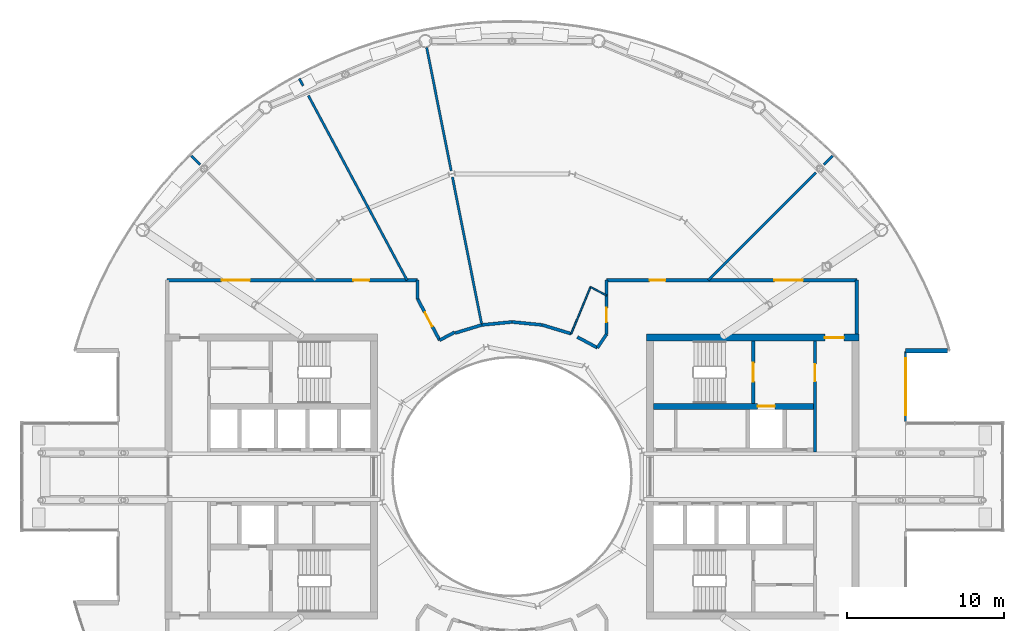
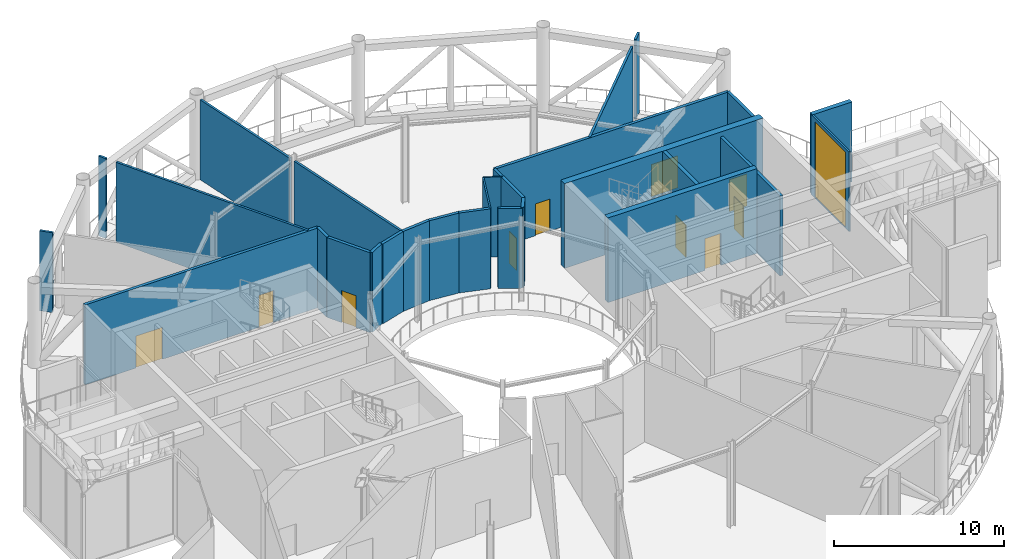
# One storey, part 15 of 24: 28 walls, 10 doors, 1 window, 11 openings.
"""IFC4 building model written with IfcOpenShell, lengths in metres."""

from ifc_helpers import new_model, si_unit, direction, frame, frame_2d, origin, place, context, subcontext, project, spatial, rectangle, extrude, material, layer, layer_set, type_object, element, fill, save


model = new_model("IFC4")

# Units and contexts
model_context = context("Model", 3, precision=1e-05, world=origin(), true_north=direction((0.0, 1.0)))
body_context = subcontext(model_context, "Body", "Model", "MODEL_VIEW")
ifc_project = project(units=[si_unit("LENGTHUNIT", "METRE"), si_unit("AREAUNIT", "SQUARE_METRE"), si_unit("VOLUMEUNIT", "CUBIC_METRE"), si_unit("PLANEANGLEUNIT", "RADIAN"), si_unit("MASSUNIT", "GRAM", prefix="KILO")], contexts=[model_context])

# Site, building, storey
site_placement = place(None, origin())
site = spatial("IfcSite", under=ifc_project, at=site_placement, CompositionType="ELEMENT")
building_placement = place(site_placement, origin())
building = spatial("IfcBuilding", under=site, at=building_placement, Name="Maasbend Ring Residences", CompositionType="ELEMENT")
storey_placement = place(building_placement, frame((0.0, 0.0, 221.85009765625)))
storey = spatial("IfcBuildingStorey", under=building, at=storey_placement, Name="L64", CompositionType="ELEMENT", Elevation=221.85009765625)

# Wall, opening, door
ifc_material_1 = material(Name="Concrete C50/60", Category="concrete")
ifc_layer_1 = layer(ifc_material_1, 0.25)
ifc_layer_set_1 = layer_set([ifc_layer_1], Name="Concrete C50/60")
wall_type_1 = type_object("IfcWallType", Name="CORE WALL 250 C50/60", PredefinedType="SHEAR", material=ifc_layer_set_1)
wall_1_placement = place(storey_placement, frame((15.324951171875, 4.64990234375, 0.0), z_axis=(0.0, 0.0, 1.0), x_axis=(0.0, 1.0, 0.0)))
wall_1 = element("IfcWall", 1, at=wall_1_placement, inside=storey, type_object=wall_type_1, Name="L64 core E wall STEN", PredefinedType="SHEAR", context=body_context, shape_type="SweptSolid", body=[
    extrude(rectangle(XDim=3.9501953125, YDim=0.25, at=frame_2d((1.97509765625, 0.0))), origin(), (0.0, 0.0, 1.0), 6.099853515625),
])
opening_1_placement = place(wall_1_placement, frame((1.375, 0.0, 0.0)))
opening_1 = element("IfcOpeningElement", 2, at=opening_1_placement, cuts=wall_1, Name="Opening D-E6411", PredefinedType="OPENING", context=body_context, shape_type="SweptSolid", body=[
    extrude(rectangle(XDim=1.199951171875, YDim=2.300048828125, at=frame_2d((0.60009765625, 1.14990234375))), frame((0.0, 0.135009765625, 0.0), z_axis=(0.0, -1.0, 0.0), x_axis=(1.0, 0.0, 0.0)), (0.0, 0.0, 1.0), 0.27001953125),
])
ifc_material_2 = material(Name="Steel, powder coated", Category="steel")
door_type_1 = type_object("IfcDoorType", Name="STAIR DOOR 1200 X 2300 FD60", OperationType="NOTDEFINED", PredefinedType="DOOR", material=ifc_material_2)
door_1_placement = place(opening_1_placement, origin())
door_1 = element("IfcDoor", 3, at=door_1_placement, inside=storey, type_object=door_type_1, Name="Stair door ST-E L64", OperationType="SINGLE_SWING_LEFT", OverallHeight=2.300048828125, OverallWidth=1.199951171875, PredefinedType="DOOR", context=body_context, shape_type="SweptSolid", body=[
    extrude(rectangle(XDim=1.199951171875, YDim=2.300048828125, at=frame_2d((0.60009765625, 1.14990234375))), frame((0.0, 0.02490234375, 0.0), z_axis=(0.0, -1.0, 0.0), x_axis=(1.0, 0.0, 0.0)), (0.0, 0.0, 1.0), 0.050048828125),
])
fill(opening_1, door_1)

ifc_material_3 = material(Name="Concrete C50/60", Category="concrete")
ifc_layer_2 = layer(ifc_material_3, 0.375)
ifc_layer_set_2 = layer_set([ifc_layer_2], Name="Concrete C50/60")
wall_type_2 = type_object("IfcWallType", Name="CORE WALL 375 C50/60", PredefinedType="SHEAR", material=ifc_layer_set_2)
wall_2_placement = place(storey_placement, frame((9.0, 4.46240234375, 0.0), z_axis=(0.0, 0.0, 1.0), x_axis=(1.0, 0.0, 0.0)))
wall_2 = element("IfcWall", 4, at=wall_2_placement, inside=storey, type_object=wall_type_2, Name="L64 core E wall BN", PredefinedType="SHEAR", context=body_context, shape_type="SweptSolid", body=[
    extrude(rectangle(XDim=10.14990234375, YDim=0.375, at=frame_2d((5.074951171875, 0.0))), origin(), (0.0, 0.0, 1.0), 6.099853515625),
])
opening_2_placement = place(wall_2_placement, frame((6.60009765625, 0.0, 0.0)))
opening_2 = element("IfcOpeningElement", 5, at=opening_2_placement, cuts=wall_2, Name="Opening LD-E6401", PredefinedType="OPENING", context=body_context, shape_type="SweptSolid", body=[
    extrude(rectangle(XDim=1.10009765625, YDim=2.300048828125, at=frame_2d((0.550048828125, 1.14990234375))), frame((0.0, 0.197509765625, 0.0), z_axis=(0.0, -1.0, 0.0), x_axis=(1.0, 0.0, 0.0)), (0.0, 0.0, 1.0), 0.39501953125),
])
ifc_material_4 = material(Name="Stainless steel 316", Category="steel")
door_type_2 = type_object("IfcDoorType", Name="LANDING DOOR 1100 X 2300 FD60", OperationType="DOUBLE_DOOR_SLIDING", PredefinedType="DOOR", material=ifc_material_4)
door_2_placement = place(opening_2_placement, origin())
door_2 = element("IfcDoor", 6, at=door_2_placement, inside=storey, type_object=door_type_2, Name="Landing door FF-E L64", OperationType="DOUBLE_DOOR_SLIDING", OverallHeight=2.300048828125, OverallWidth=1.10009765625, PredefinedType="DOOR", context=body_context, shape_type="SweptSolid", body=[
    extrude(rectangle(XDim=1.10009765625, YDim=2.300048828125, at=frame_2d((0.550048828125, 1.14990234375))), frame((0.0, 0.02490234375, 0.0), z_axis=(0.0, -1.0, 0.0), x_axis=(1.0, 0.0, 0.0)), (0.0, 0.0, 1.0), 0.050048828125),
])
fill(opening_2, door_2)

ifc_material_5 = material(Name="Concrete C50/60", Category="concrete")
ifc_layer_3 = layer(ifc_material_5, 0.449951171875)
ifc_layer_set_3 = layer_set([ifc_layer_3], Name="Concrete C50/60")
wall_type_3 = type_object("IfcWallType", Name="CORE WALL 450 C50/60", PredefinedType="SHEAR", material=ifc_layer_set_3)
wall_3_placement = place(storey_placement, frame((22.050048828125, 8.824951171875, 0.0), z_axis=(0.0, 0.0, 1.0), x_axis=(-1.0, 0.0, 0.0)))
wall_3 = element("IfcWall", 7, at=wall_3_placement, inside=storey, type_object=wall_type_3, Name="L64 core E wall PN", PredefinedType="SHEAR", context=body_context, shape_type="SweptSolid", body=[
    extrude(rectangle(XDim=13.5, YDim=0.449951171875, at=frame_2d((6.75, 0.0))), origin(), (0.0, 0.0, 1.0), 6.099853515625),
])
opening_3_placement = place(wall_3_placement, frame((0.97509765625, 0.0, 0.0)))
opening_3 = element("IfcOpeningElement", 8, at=opening_3_placement, cuts=wall_3, Name="Opening D-E6415", PredefinedType="OPENING", context=body_context, shape_type="SweptSolid", body=[
    extrude(rectangle(XDim=1.199951171875, YDim=2.300048828125, at=frame_2d((0.60009765625, 1.14990234375))), frame((0.0, 0.23486328125, 0.0), z_axis=(0.0, -1.0, 0.0), x_axis=(1.0, 0.0, 0.0)), (0.0, 0.0, 1.0), 0.469970703125),
])
ifc_material_6 = material(Name="Steel, powder coated", Category="steel")
door_type_3 = type_object("IfcDoorType", Name="CORRIDOR DOOR 1200 X 2300 FD30S", OperationType="NOTDEFINED", PredefinedType="DOOR", material=ifc_material_6)
door_3_placement = place(opening_3_placement, origin())
door_3 = element("IfcDoor", 9, at=door_3_placement, inside=storey, type_object=door_type_3, Name="Corridor door L64", OperationType="SINGLE_SWING_RIGHT", OverallHeight=2.300048828125, OverallWidth=1.199951171875, PredefinedType="DOOR", context=body_context, shape_type="SweptSolid", body=[
    extrude(rectangle(XDim=1.199951171875, YDim=2.300048828125, at=frame_2d((0.60009765625, 1.14990234375))), frame((0.0, 0.02490234375, 0.0), z_axis=(0.0, -1.0, 0.0), x_axis=(1.0, 0.0, 0.0)), (0.0, 0.0, 1.0), 0.050048828125),
])
fill(opening_3, door_3)

# Wall
ifc_material_7 = material(Name="Concrete C30/37", Category="concrete")
ifc_layer_4 = layer(ifc_material_7, 0.199951171875)
ifc_layer_set_4 = layer_set([ifc_layer_4], Name="Concrete C30/37")
wall_type_4 = type_object("IfcWallType", Name="CORRIDOR WALL 200 CONCRETE", PredefinedType="PARTITIONING", material=ifc_layer_set_4)
wall_4_placement = place(storey_placement, frame((21.89990234375, 9.070068359375, 0.0), z_axis=(0.0, 0.0, 1.0), x_axis=(0.0, 1.0, 0.0)))
element("IfcWall", 10, at=wall_4_placement, inside=storey, type_object=wall_type_4, Name="U-L64-w002", PredefinedType="PARTITIONING", context=body_context, shape_type="SweptSolid", body=[
    extrude(rectangle(XDim=3.39990234375, YDim=0.199951171875, at=frame_2d((1.699951171875, 0.0))), origin(), (0.0, 0.0, 1.0), 5.75),
])

# Wall, opening, door
wall_5_placement = place(storey_placement, frame((6.0, 9.033935546875, 0.0), z_axis=(0.0, 0.0, 1.0), x_axis=(0.0, 1.0, 0.0)))
wall_5 = element("IfcWall", 11, at=wall_5_placement, inside=storey, type_object=wall_type_4, Name="U-L64-w013", PredefinedType="PARTITIONING", context=body_context, shape_type="SweptSolid", body=[
    extrude(rectangle(XDim=3.43603515625, YDim=0.199951171875, at=frame_2d((1.718017578125, 0.0))), origin(), (0.0, 0.0, 1.0), 5.75),
])
opening_4_placement = place(wall_5_placement, frame((0.783935546875, 0.0, 0.0)))
opening_4 = element("IfcOpeningElement", 12, at=opening_4_placement, cuts=wall_5, Name="Opening D-6401", PredefinedType="OPENING", context=body_context, shape_type="SweptSolid", body=[
    extrude(rectangle(XDim=0.89990234375, YDim=2.300048828125, at=frame_2d((0.449951171875, 1.14990234375))), frame((0.0, 0.10986328125, 0.0), z_axis=(0.0, -1.0, 0.0), x_axis=(1.0, 0.0, 0.0)), (0.0, 0.0, 1.0), 0.219970703125),
])
ifc_material_8 = material(Name="Timber, painted", Category="wood")
door_type_4 = type_object("IfcDoorType", Name="INTERNAL DOOR 900 X 2300", OperationType="NOTDEFINED", PredefinedType="DOOR", material=ifc_material_8)
door_4_placement = place(opening_4_placement, origin())
door_4 = element("IfcDoor", 13, at=door_4_placement, inside=storey, type_object=door_type_4, Name="D-6401", OperationType="SINGLE_SWING_LEFT", OverallHeight=2.300048828125, OverallWidth=0.89990234375, PredefinedType="DOOR", context=body_context, shape_type="SweptSolid", body=[
    extrude(rectangle(XDim=0.89990234375, YDim=2.300048828125, at=frame_2d((0.449951171875, 1.14990234375))), frame((0.0, 0.02490234375, 0.0), z_axis=(0.0, -1.0, 0.0), x_axis=(1.0, 0.0, 0.0)), (0.0, 0.0, 1.0), 0.050048828125),
])
fill(opening_4, door_4)

wall_6_placement = place(storey_placement, frame((-6.0, 11.2890625, 0.0), z_axis=(0.0, 0.0, 1.0), x_axis=(0.471323454276, -0.881960430773, 0.0)))
wall_6 = element("IfcWall", 14, at=wall_6_placement, inside=storey, type_object=wall_type_4, Name="U-L64-w039", PredefinedType="PARTITIONING", context=body_context, shape_type="SweptSolid", body=[
    extrude(rectangle(XDim=2.98095703125, YDim=0.199951171875, at=frame_2d((1.490478515625, 0.0))), origin(), (0.0, 0.0, 1.0), 5.75),
])
opening_5_placement = place(wall_6_placement, frame((0.989990234375, 0.0, 0.0)))
opening_5 = element("IfcOpeningElement", 15, at=opening_5_placement, cuts=wall_6, Name="Opening D-6403", PredefinedType="OPENING", context=body_context, shape_type="SweptSolid", body=[
    extrude(rectangle(XDim=1.0, YDim=2.300048828125, at=frame_2d((0.5, 1.14990234375))), frame((0.0, 0.10986328125, 0.0), z_axis=(0.0, -1.0, 0.0), x_axis=(1.0, 0.0, 0.0)), (0.0, 0.0, 1.0), 0.219970703125),
])
ifc_material_9 = material(Name="Timber, painted", Category="wood")
door_type_5 = type_object("IfcDoorType", Name="ROOM DOOR 1000 X 2300", OperationType="NOTDEFINED", PredefinedType="DOOR", material=ifc_material_9)
door_5_placement = place(opening_5_placement, origin())
door_5 = element("IfcDoor", 16, at=door_5_placement, inside=storey, type_object=door_type_5, Name="D-6403", OperationType="SINGLE_SWING_RIGHT", OverallHeight=2.300048828125, OverallWidth=1.0, PredefinedType="DOOR", context=body_context, shape_type="SweptSolid", body=[
    extrude(rectangle(XDim=1.0, YDim=2.300048828125, at=frame_2d((0.5, 1.14990234375))), frame((0.0, 0.02490234375, 0.0), z_axis=(0.0, -1.0, 0.0), x_axis=(1.0, 0.0, 0.0)), (0.0, 0.0, 1.0), 0.050048828125),
])
fill(opening_5, door_5)

# Walls
wall_7_placement = place(storey_placement, frame((5.428955078125, 8.178955078125, 0.0), z_axis=(0.0, 0.0, 1.0), x_axis=(0.555412364489, 0.831575075007, 0.0)))
element("IfcWall", 17, at=wall_7_placement, inside=storey, type_object=wall_type_4, Name="U-L64-w040", PredefinedType="PARTITIONING", context=body_context, shape_type="SweptSolid", body=[
    extrude(rectangle(XDim=1.028076171875, YDim=0.199951171875, at=frame_2d((0.51416015625, 0.0))), origin(), (0.0, 0.0, 1.0), 5.75),
])
wall_8_placement = place(storey_placement, frame((-6.0, 11.2890625, 0.0), z_axis=(0.0, 0.0, 1.0), x_axis=(0.0, 1.0, 0.0)))
element("IfcWall", 18, at=wall_8_placement, inside=storey, type_object=wall_type_4, Name="U-L64-w042", PredefinedType="PARTITIONING", context=body_context, shape_type="SweptSolid", body=[
    extrude(rectangle(XDim=1.180908203125, YDim=0.199951171875, at=frame_2d((0.59033203125, 0.0))), origin(), (0.0, 0.0, 1.0), 5.75),
])
wall_9_placement = place(storey_placement, frame((-3.612060546875, 9.115966796875, 0.0), z_axis=(0.0, 0.0, 1.0), x_axis=(0.956838864513, 0.290618972812, 0.0)))
element("IfcWall", 19, at=wall_9_placement, inside=storey, type_object=wall_type_4, Name="U-L64-w043", PredefinedType="PARTITIONING", context=body_context, shape_type="SweptSolid", body=[
    extrude(rectangle(XDim=1.7724609375, YDim=0.199951171875, at=frame_2d((0.88623046875, 0.0))), origin(), (0.0, 0.0, 1.0), 5.75),
])
for number, where, z_axis, x_axis, name in (
    (20, (-1.916015625, 9.631103515625, 0.0), (0.0, 0.0, 1.0), (0.995171860647, 0.098147683504, 0.0), "U-L64-w044"),
    (21, (0.0, 9.820068359375, 0.0), (0.0, 0.0, 1.0), (0.995171860647, -0.098147683504, 0.0), "U-L64-w045"),
):
    element("IfcWall", number, at=place(storey_placement, frame(where, z_axis=z_axis, x_axis=x_axis)), inside=storey, type_object=wall_type_4, Name=name, PredefinedType="PARTITIONING", context=body_context, shape_type="SweptSolid", body=[
        extrude(rectangle(XDim=1.92529296875, YDim=0.199951171875, at=frame_2d((0.962646484375, 0.0))), origin(), (0.0, 0.0, 1.0), 5.75),
    ])
wall_10_placement = place(storey_placement, frame((1.916015625, 9.631103515625, 0.0), z_axis=(0.0, 0.0, 1.0), x_axis=(0.956896312675, -0.29042976223, 0.0)))
element("IfcWall", 22, at=wall_10_placement, inside=storey, type_object=wall_type_4, Name="U-L64-w046", PredefinedType="PARTITIONING", context=body_context, shape_type="SweptSolid", body=[
    extrude(rectangle(XDim=1.925048828125, YDim=0.199951171875, at=frame_2d((0.96240234375, 0.0))), origin(), (0.0, 0.0, 1.0), 5.75),
])
wall_11_placement = place(storey_placement, frame((4.15087890625, 8.863037109375, 0.0), z_axis=(0.0, 0.0, 1.0), x_axis=(0.881652665802, -0.471898905364, 0.0)))
element("IfcWall", 23, at=wall_11_placement, inside=storey, type_object=wall_type_4, Name="U-L64-w047", PredefinedType="PARTITIONING", context=body_context, shape_type="SweptSolid", body=[
    extrude(rectangle(XDim=1.44970703125, YDim=0.199951171875, at=frame_2d((0.724853515625, 0.0))), origin(), (0.0, 0.0, 1.0), 5.75),
])
wall_12_placement = place(storey_placement, frame((-4.594970703125, 8.659912109375, 0.0), z_axis=(0.0, 0.0, 1.0), x_axis=(0.882484042169, 0.470342338426, 0.0)))
element("IfcWall", 24, at=wall_12_placement, inside=storey, type_object=wall_type_4, Name="U-L64-w048", PredefinedType="PARTITIONING", context=body_context, shape_type="SweptSolid", body=[
    extrude(rectangle(XDim=1.082275390625, YDim=0.199951171875, at=frame_2d((0.541015625, 0.0))), origin(), (0.0, 0.0, 1.0), 5.75),
])

# Wall, openings, doors
wall_13_placement = place(storey_placement, frame((-21.89990234375, 12.469970703125, 0.0), z_axis=(0.0, 0.0, 1.0), x_axis=(1.0, 0.0, 0.0)))
wall_13 = element("IfcWall", 25, at=wall_13_placement, inside=storey, type_object=wall_type_4, Name="U-L64-w049", PredefinedType="PARTITIONING", context=body_context, shape_type="SweptSolid", body=[
    extrude(rectangle(XDim=15.89990234375, YDim=0.199951171875, at=frame_2d((7.949951171875, 0.0))), origin(), (0.0, 0.0, 1.0), 5.75),
])
opening_6_placement = place(wall_13_placement, frame((11.83203125, 0.0, 0.0)))
opening_6 = element("IfcOpeningElement", 26, at=opening_6_placement, cuts=wall_13, Name="Opening D-6404", PredefinedType="OPENING", context=body_context, shape_type="SweptSolid", body=[
    extrude(rectangle(XDim=1.0, YDim=2.300048828125, at=frame_2d((0.5, 1.14990234375))), frame((0.0, 0.10986328125, 0.0), z_axis=(0.0, -1.0, 0.0), x_axis=(1.0, 0.0, 0.0)), (0.0, 0.0, 1.0), 0.219970703125),
])
opening_7_placement = place(wall_13_placement, frame((3.449951171875, 0.0, 0.0)))
opening_7 = element("IfcOpeningElement", 27, at=opening_7_placement, cuts=wall_13, Name="Opening D-6411", PredefinedType="OPENING", context=body_context, shape_type="SweptSolid", body=[
    extrude(rectangle(XDim=1.800048828125, YDim=2.300048828125, at=frame_2d((0.89990234375, 1.14990234375))), frame((0.0, 0.10986328125, 0.0), z_axis=(0.0, -1.0, 0.0), x_axis=(1.0, 0.0, 0.0)), (0.0, 0.0, 1.0), 0.219970703125),
])
ifc_material_10 = material(Name="Timber, painted", Category="wood")
door_type_6 = type_object("IfcDoorType", Name="DOUBLE DOOR 1800 X 2300", OperationType="NOTDEFINED", PredefinedType="DOOR", material=ifc_material_10)
door_6_placement = place(opening_7_placement, origin())
door_6 = element("IfcDoor", 28, at=door_6_placement, inside=storey, type_object=door_type_6, Name="D-6411", OperationType="DOUBLE_DOOR_SINGLE_SWING", OverallHeight=2.300048828125, OverallWidth=1.800048828125, PredefinedType="DOOR", context=body_context, shape_type="SweptSolid", body=[
    extrude(rectangle(XDim=1.800048828125, YDim=2.300048828125, at=frame_2d((0.89990234375, 1.14990234375))), frame((0.0, 0.02490234375, 0.0), z_axis=(0.0, -1.0, 0.0), x_axis=(1.0, 0.0, 0.0)), (0.0, 0.0, 1.0), 0.050048828125),
])
fill(opening_7, door_6)
door_7_placement = place(opening_6_placement, origin())
door_7 = element("IfcDoor", 29, at=door_7_placement, inside=storey, type_object=door_type_5, Name="D-6404", OperationType="SINGLE_SWING_RIGHT", OverallHeight=2.300048828125, OverallWidth=1.0, PredefinedType="DOOR", context=body_context, shape_type="SweptSolid", body=[
    extrude(rectangle(XDim=1.0, YDim=2.300048828125, at=frame_2d((0.5, 1.14990234375))), frame((0.0, 0.02490234375, 0.0), z_axis=(0.0, -1.0, 0.0), x_axis=(1.0, 0.0, 0.0)), (0.0, 0.0, 1.0), 0.050048828125),
])
fill(opening_6, door_7)

wall_14_placement = place(storey_placement, frame((6.0, 12.469970703125, 0.0), z_axis=(0.0, 0.0, 1.0), x_axis=(1.0, 0.0, 0.0)))
wall_14 = element("IfcWall", 30, at=wall_14_placement, inside=storey, type_object=wall_type_4, Name="U-L64-w050", PredefinedType="PARTITIONING", context=body_context, shape_type="SweptSolid", body=[
    extrude(rectangle(XDim=15.89990234375, YDim=0.199951171875, at=frame_2d((7.949951171875, 0.0))), origin(), (0.0, 0.0, 1.0), 5.75),
])
opening_8_placement = place(wall_14_placement, frame((2.735107421875, 0.0, 0.0)))
opening_8 = element("IfcOpeningElement", 31, at=opening_8_placement, cuts=wall_14, Name="Opening D-6402", PredefinedType="OPENING", context=body_context, shape_type="SweptSolid", body=[
    extrude(rectangle(XDim=1.0, YDim=2.300048828125, at=frame_2d((0.5, 1.14990234375))), frame((0.0, 0.10986328125, 0.0), z_axis=(0.0, -1.0, 0.0), x_axis=(1.0, 0.0, 0.0)), (0.0, 0.0, 1.0), 0.219970703125),
])
opening_9_placement = place(wall_14_placement, frame((10.669921875, 0.0, 0.0)))
opening_9 = element("IfcOpeningElement", 32, at=opening_9_placement, cuts=wall_14, Name="Opening D-6410", PredefinedType="OPENING", context=body_context, shape_type="SweptSolid", body=[
    extrude(rectangle(XDim=1.800048828125, YDim=2.300048828125, at=frame_2d((0.89990234375, 1.14990234375))), frame((0.0, 0.10986328125, 0.0), z_axis=(0.0, -1.0, 0.0), x_axis=(1.0, 0.0, 0.0)), (0.0, 0.0, 1.0), 0.219970703125),
])
door_8_placement = place(opening_9_placement, origin())
door_8 = element("IfcDoor", 33, at=door_8_placement, inside=storey, type_object=door_type_6, Name="D-6410", OperationType="DOUBLE_DOOR_SINGLE_SWING", OverallHeight=2.300048828125, OverallWidth=1.800048828125, PredefinedType="DOOR", context=body_context, shape_type="SweptSolid", body=[
    extrude(rectangle(XDim=1.800048828125, YDim=2.300048828125, at=frame_2d((0.89990234375, 1.14990234375))), frame((0.0, 0.02490234375, 0.0), z_axis=(0.0, -1.0, 0.0), x_axis=(1.0, 0.0, 0.0)), (0.0, 0.0, 1.0), 0.050048828125),
])
fill(opening_9, door_8)
door_9_placement = place(opening_8_placement, origin())
door_9 = element("IfcDoor", 34, at=door_9_placement, inside=storey, type_object=door_type_5, Name="D-6402", OperationType="SINGLE_SWING_LEFT", OverallHeight=2.300048828125, OverallWidth=1.0, PredefinedType="DOOR", context=body_context, shape_type="SweptSolid", body=[
    extrude(rectangle(XDim=1.0, YDim=2.300048828125, at=frame_2d((0.5, 1.14990234375))), frame((0.0, 0.02490234375, 0.0), z_axis=(0.0, -1.0, 0.0), x_axis=(1.0, 0.0, 0.0)), (0.0, 0.0, 1.0), 0.050048828125),
])
fill(opening_8, door_9)

# Wall
ifc_material_11 = material(Name="Aluminium clad insulated panel", Category="aluminium")
ifc_layer_5 = layer(ifc_material_11, 0.300048828125)
ifc_layer_set_5 = layer_set([ifc_layer_5], Name="EW-RET")
wall_type_5 = type_object("IfcWallType", Name="EW-RET", PredefinedType="SOLIDWALL", material=ifc_layer_set_5)
wall_15_placement = place(storey_placement, frame((25.0, 8.0, 0.0), z_axis=(0.0, 0.0, 1.0), x_axis=(1.0, 0.0, 0.0)))
element("IfcWall", 35, at=wall_15_placement, inside=storey, type_object=wall_type_5, Name="Notch return wall east north", PredefinedType="SOLIDWALL", context=body_context, shape_type="SweptSolid", body=[
    extrude(rectangle(XDim=2.6669921875, YDim=0.300048828125, at=frame_2d((1.33349609375, 0.0))), origin(), (0.0, 0.0, 1.0), 5.75),
])

# Wall, opening, window
ifc_material_12 = material(Name="Aluminium frame and clear glass", Category="aluminium")
ifc_layer_6 = layer(ifc_material_12, 0.1201171875)
ifc_layer_set_6 = layer_set([ifc_layer_6], Name="GLAZED SCREEN WALL 120 EI 60")
wall_type_6 = type_object("IfcWallType", Name="GLAZED SCREEN WALL 120 EI 60", PredefinedType="PARTITIONING", material=ifc_layer_set_6)
wall_16_placement = place(storey_placement, frame((25.0, 3.5, 0.0), z_axis=(0.0, 0.0, 1.0), x_axis=(0.0, 1.0, 0.0)))
wall_16 = element("IfcWall", 36, at=wall_16_placement, inside=storey, type_object=wall_type_6, Name="L64 core E wall FACEB", PredefinedType="PARTITIONING", context=body_context, shape_type="SweptSolid", body=[
    extrude(rectangle(XDim=4.449951171875, YDim=0.1201171875, at=frame_2d((2.22509765625, 0.0))), origin(), (0.0, 0.0, 1.0), 5.75),
])
opening_10_placement = place(wall_16_placement, frame((0.39990234375, 0.0, 0.10009765625)))
opening_10 = element("IfcOpeningElement", 37, at=opening_10_placement, cuts=wall_16, Name="Opening W-E6403", PredefinedType="OPENING", context=body_context, shape_type="SweptSolid", body=[
    extrude(rectangle(XDim=3.60009765625, YDim=5.39990234375, at=frame_2d((1.800048828125, 2.699951171875))), frame((0.0, 0.070068359375, 0.0), z_axis=(0.0, -1.0, 0.0), x_axis=(1.0, 0.0, 0.0)), (0.0, 0.0, 1.0), 0.14013671875),
])
ifc_material_13 = material(Name="Aluminium frame and clear glass", Category="aluminium")
window_type = type_object("IfcWindowType", Name="FIXED WINDOW 3600 X 5400", PartitioningType="SINGLE_PANEL", PredefinedType="WINDOW", material=ifc_material_13)
window_placement = place(opening_10_placement, origin())
window = element("IfcWindow", 38, at=window_placement, inside=storey, type_object=window_type, Name="Lobby window L64", OverallHeight=5.39990234375, OverallWidth=3.60009765625, PartitioningType="SINGLE_PANEL", PredefinedType="WINDOW", context=body_context, shape_type="SweptSolid", body=[
    extrude(rectangle(XDim=3.60009765625, YDim=5.39990234375, at=frame_2d((1.800048828125, 2.699951171875))), frame((0.0, 0.030029296875, 0.0), z_axis=(0.0, -1.0, 0.0), x_axis=(1.0, 0.0, 0.0)), (0.0, 0.0, 1.0), 0.06005859375),
])
fill(opening_10, window)

# Walls
ifc_material_14 = material(Name="Gypsum board on steel studs", Category="steel")
ifc_layer_7 = layer(ifc_material_14, 0.10009765625)
ifc_layer_set_7 = layer_set([ifc_layer_7], Name="PARTITION 100 GYPSUM")
wall_type_7 = type_object("IfcWallType", Name="PARTITION 100 GYPSUM", PredefinedType="PARTITIONING", material=ifc_layer_set_7)
wall_17_placement = place(storey_placement, frame((3.757080078125, 9.072998046875, 0.0), z_axis=(0.0, 0.0, 1.0), x_axis=(0.382624570991, 0.923903911494, 0.0)))
element("IfcWall", 39, at=wall_17_placement, inside=storey, type_object=wall_type_7, Name="U-L64-w030", PredefinedType="PARTITIONING", context=body_context, shape_type="SweptSolid", body=[
    extrude(rectangle(XDim=3.214599609375, YDim=0.10009765625, at=frame_2d((1.607421875, 0.0))), origin(), (0.0, 0.0, 1.0), 5.75),
])
wall_18_placement = place(storey_placement, frame((4.988037109375, 12.04296875, 0.0), z_axis=(0.0, 0.0, 1.0), x_axis=(0.882235076446, -0.470809165042, 0.0)))
element("IfcWall", 40, at=wall_18_placement, inside=storey, type_object=wall_type_7, Name="U-L64-w051", PredefinedType="PARTITIONING", context=body_context, shape_type="SweptSolid", body=[
    extrude(rectangle(XDim=1.14697265625, YDim=0.10009765625, at=frame_2d((0.573486328125, 0.0))), origin(), (0.0, 0.0, 1.0), 5.75),
])
ifc_material_15 = material(Name="Gypsum board on steel studs", Category="steel")
ifc_layer_8 = layer(ifc_material_15, 0.14990234375)
ifc_layer_set_8 = layer_set([ifc_layer_8], Name="PARTITION 150 GYPSUM")
wall_type_8 = type_object("IfcWallType", Name="PARTITION 150 GYPSUM", PredefinedType="PARTITIONING", material=ifc_layer_set_8)
wall_19_placement = place(storey_placement, frame((-13.510986328125, 25.277099609375, 0.0), z_axis=(0.0, 0.0, 1.0), x_axis=(0.470808368579, -0.882235501482, 0.0)))
element("IfcWall", 41, at=wall_19_placement, inside=storey, type_object=wall_type_8, Name="U-L64-w016", PredefinedType="PARTITIONING", context=body_context, shape_type="SweptSolid", body=[
    extrude(rectangle(XDim=0.51806640625, YDim=0.14990234375, at=frame_2d((0.259033203125, 0.0))), origin(), (0.0, 0.0, 1.0), 5.75),
])
wall_20_placement = place(storey_placement, frame((-20.364990234375, 20.364990234375, 0.0), z_axis=(0.0, 0.0, 1.0), x_axis=(0.707106781187, -0.707106781187, 0.0)))
element("IfcWall", 42, at=wall_20_placement, inside=storey, type_object=wall_type_8, Name="U-L64-w018", PredefinedType="PARTITIONING", context=body_context, shape_type="SweptSolid", body=[
    extrude(rectangle(XDim=0.7919921875, YDim=0.14990234375, at=frame_2d((0.39599609375, 0.0))), origin(), (0.0, 0.0, 1.0), 5.75),
])
wall_21_placement = place(storey_placement, frame((-12.93505859375, 24.199951171875, 0.0), z_axis=(0.0, 0.0, 1.0), x_axis=(0.471409271211, -0.881914564465, 0.0)))
element("IfcWall", 43, at=wall_21_placement, inside=storey, type_object=wall_type_8, Name="U-L64-w021", PredefinedType="PARTITIONING", context=body_context, shape_type="SweptSolid", body=[
    extrude(rectangle(XDim=13.300537109375, YDim=0.14990234375, at=frame_2d((6.650390625, 0.0))), origin(), (0.0, 0.0, 1.0), 5.75),
])
wall_22_placement = place(storey_placement, frame((-5.424072265625, 27.26708984375, 0.0), z_axis=(0.0, 0.0, 1.0), x_axis=(0.195106720959, -0.980782018308, 0.0)))
element("IfcWall", 44, at=wall_22_placement, inside=storey, type_object=wall_type_8, Name="U-L64-w025", PredefinedType="PARTITIONING", context=body_context, shape_type="SweptSolid", body=[
    extrude(rectangle(XDim=8.0009765625, YDim=0.14990234375, at=frame_2d((4.00048828125, 0.0))), origin(), (0.0, 0.0, 1.0), 5.75),
])
wall_23_placement = place(storey_placement, frame((-3.784912109375, 19.027099609375, 0.0), z_axis=(0.0, 0.0, 1.0), x_axis=(0.195081953533, -0.980786944961, 0.0)))
element("IfcWall", 45, at=wall_23_placement, inside=storey, type_object=wall_type_8, Name="U-L64-w027", PredefinedType="PARTITIONING", context=body_context, shape_type="SweptSolid", body=[
    extrude(rectangle(XDim=9.580078125, YDim=0.14990234375, at=frame_2d((4.7900390625, 0.0))), origin(), (0.0, 0.0, 1.0), 5.75),
])
wall_24_placement = place(storey_placement, frame((12.469970703125, 12.469970703125, 0.0), z_axis=(0.0, 0.0, 1.0), x_axis=(0.707106781187, 0.707106781187, 0.0)))
element("IfcWall", 46, at=wall_24_placement, inside=storey, type_object=wall_type_8, Name="U-L64-w036", PredefinedType="PARTITIONING", context=body_context, shape_type="SweptSolid", body=[
    extrude(rectangle(XDim=9.67333984375, YDim=0.14990234375, at=frame_2d((4.836669921875, 0.0))), origin(), (0.0, 0.0, 1.0), 5.75),
])
wall_25_placement = place(storey_placement, frame((19.804931640625, 19.804931640625, 0.0), z_axis=(0.0, 0.0, 1.0), x_axis=(0.707106781187, 0.707106781187, 0.0)))
element("IfcWall", 47, at=wall_25_placement, inside=storey, type_object=wall_type_8, Name="U-L64-w038", PredefinedType="PARTITIONING", context=body_context, shape_type="SweptSolid", body=[
    extrude(rectangle(XDim=0.7919921875, YDim=0.14990234375, at=frame_2d((0.39599609375, 0.0))), origin(), (0.0, 0.0, 1.0), 5.75),
])

# Wall, opening, door
ifc_material_16 = material(Name="Concrete C30/37", Category="concrete")
ifc_layer_9 = layer(ifc_material_16, 0.199951171875)
ifc_layer_set_9 = layer_set([ifc_layer_9], Name="Concrete C30/37")
wall_type_9 = type_object("IfcWallType", Name="SHAFT WALL 200 EI 120", PredefinedType="SOLIDWALL", material=ifc_layer_set_9)
wall_26_placement = place(storey_placement, frame((19.25, 1.574951171875, 0.0), z_axis=(0.0, 0.0, 1.0), x_axis=(0.0, 1.0, 0.0)))
wall_26 = element("IfcWall", 48, at=wall_26_placement, inside=storey, type_object=wall_type_9, Name="L64 core E wall ENDN", PredefinedType="SOLIDWALL", context=body_context, shape_type="SweptSolid", body=[
    extrude(rectangle(XDim=7.025146484375, YDim=0.199951171875, at=frame_2d((3.5126953125, 0.0))), origin(), (0.0, 0.0, 1.0), 5.75),
])
opening_11_placement = place(wall_26_placement, frame((4.47509765625, 0.0, 0.0)))
opening_11 = element("IfcOpeningElement", 49, at=opening_11_placement, cuts=wall_26, Name="Opening D-E6413", PredefinedType="OPENING", context=body_context, shape_type="SweptSolid", body=[
    extrude(rectangle(XDim=1.10009765625, YDim=2.300048828125, at=frame_2d((0.550048828125, 1.14990234375))), frame((0.0, 0.10986328125, 0.0), z_axis=(0.0, -1.0, 0.0), x_axis=(1.0, 0.0, 0.0)), (0.0, 0.0, 1.0), 0.219970703125),
])
ifc_material_17 = material(Name="Steel, powder coated", Category="steel")
door_type_7 = type_object("IfcDoorType", Name="LOBBY DOOR 1100 X 2300 FD60", OperationType="NOTDEFINED", PredefinedType="DOOR", material=ifc_material_17)
door_10_placement = place(opening_11_placement, origin())
door_10 = element("IfcDoor", 50, at=door_10_placement, inside=storey, type_object=door_type_7, Name="Lobby door L64", OperationType="SINGLE_SWING_LEFT", OverallHeight=2.300048828125, OverallWidth=1.10009765625, PredefinedType="DOOR", context=body_context, shape_type="SweptSolid", body=[
    extrude(rectangle(XDim=1.10009765625, YDim=2.300048828125, at=frame_2d((0.550048828125, 1.14990234375))), frame((0.0, 0.02490234375, 0.0), z_axis=(0.0, -1.0, 0.0), x_axis=(1.0, 0.0, 0.0)), (0.0, 0.0, 1.0), 0.050048828125),
])
fill(opening_11, door_10)

save(model, "model.ifc")
